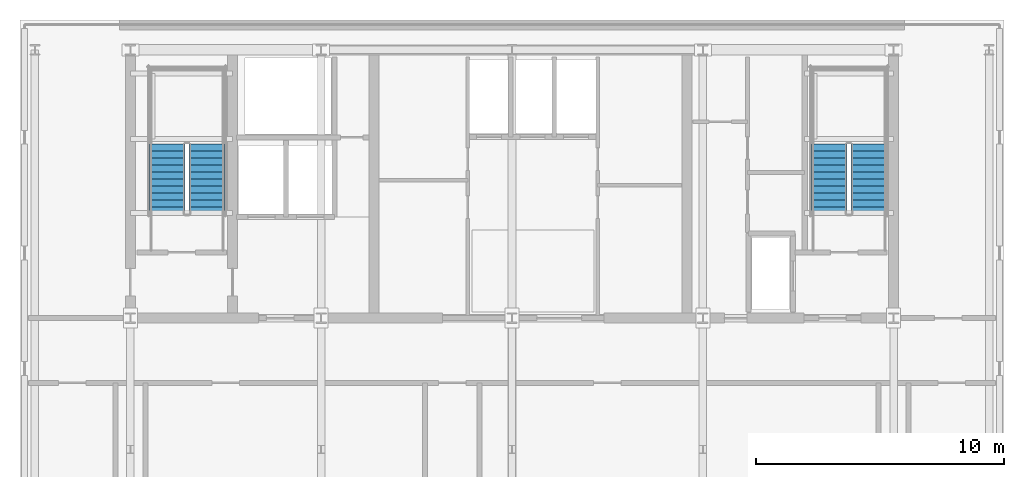
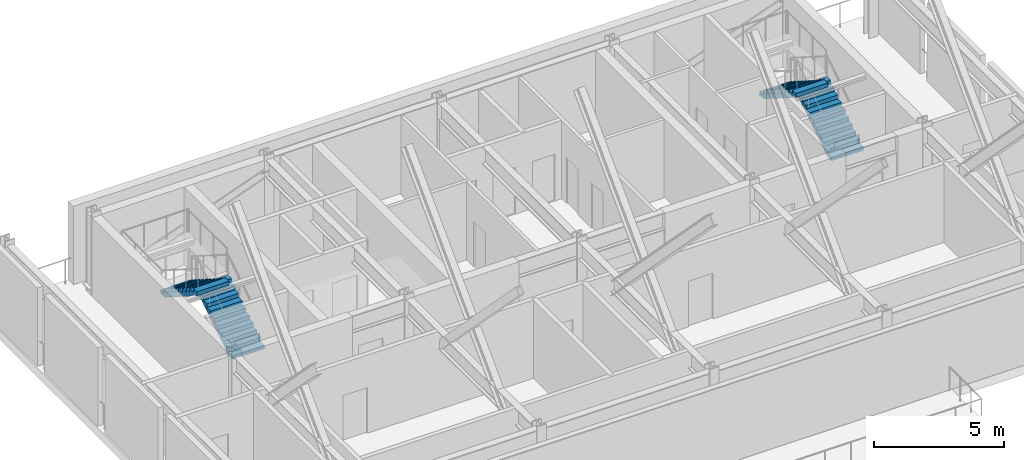
# One storey, part 4 of 8: 4 stair flights, 2 elements without a shape of their own.
"""IFC4 building model written with IfcOpenShell, lengths in metres."""

from ifc_helpers import new_model, si_unit, direction, frame, origin, place, context, subcontext, project, spatial, polyline, outline, extrude, material, type_object, element, aggregate, save


model = new_model("IFC4")

# Units and contexts
model_context = context("Model", 3, precision=1e-05, world=origin(), true_north=direction((0.0, 1.0)))
body_context = subcontext(model_context, "Body", "Model", "MODEL_VIEW")
ifc_project = project(units=[si_unit("LENGTHUNIT", "METRE"), si_unit("AREAUNIT", "SQUARE_METRE"), si_unit("VOLUMEUNIT", "CUBIC_METRE"), si_unit("PLANEANGLEUNIT", "RADIAN"), si_unit("MASSUNIT", "GRAM", prefix="KILO")], contexts=[model_context])

# Site, building, storey
site_placement = place(None, origin())
site = spatial("IfcSite", under=ifc_project, at=site_placement, CompositionType="ELEMENT")
building_placement = place(site_placement, origin())
building = spatial("IfcBuilding", under=site, at=building_placement, Name="Yelkora Congress Tower", CompositionType="ELEMENT")
storey_placement = place(building_placement, frame((0.0, 0.0, 247.39990234375)))
storey = spatial("IfcBuildingStorey", under=building, at=storey_placement, Name="L69", CompositionType="ELEMENT", Elevation=247.39990234375)

# Stair, stair flights
ifc_material = material(Name="Concrete C40/50", Category="concrete")
stair_type = type_object("IfcStairType", Name="STAIR-HT-1420-R22-177", PredefinedType="HALF_TURN_STAIR", material=ifc_material)
stair_1_placement = place(storey_placement, origin())
stair_1 = element("IfcStair", 1, at=stair_1_placement, inside=storey, type_object=stair_type, Name="West Core Protected Exit Stair ST-01 (L69)", PredefinedType="HALF_TURN_STAIR")
stair_flight_type = type_object("IfcStairFlightType", Name="FLIGHT-1420-N11-R177-G280", PredefinedType="STRAIGHT", material=ifc_material)
stair_flight_1_placement = place(storey_placement, frame((26.110107421875, 39.60009765625, 0.0), z_axis=(0.0, 0.0, 1.0), x_axis=(0.0, 1.0, 0.0)))
stair_flight_1 = element("IfcStairFlight", 2, at=stair_flight_1_placement, type_object=stair_flight_type, Name="ST-01 L69 Flight 1", NumberOfRisers=11, NumberOfTreads=10, PredefinedType="STRAIGHT", RiserHeight=0.177272727, TreadLength=0.28, context=body_context, shape_type="SweptSolid", body=[
    extrude(outline(polyline([(0.0, 0.0), (0.0, 0.17724609375), (0.280029296875, 0.17724609375), (0.280029296875, 0.3544921875), (0.56005859375, 0.3544921875), (0.56005859375, 0.53173828125), (0.840087890625, 0.53173828125), (0.840087890625, 0.708984375), (1.1201171875, 0.708984375), (1.1201171875, 0.886474609375), (1.39990234375, 0.886474609375), (1.39990234375, 1.063720703125), (1.679931640625, 1.063720703125), (1.679931640625, 1.240966796875), (1.9599609375, 1.240966796875), (1.9599609375, 1.418212890625), (2.239990234375, 1.418212890625), (2.239990234375, 1.595458984375), (2.52001953125, 1.595458984375), (2.52001953125, 1.772705078125), (2.800048828125, 1.772705078125), (2.800048828125, 1.949951171875), (2.800048828125, 1.58349609375), (0.298828125, 0.0), (0.0, 0.0)])), frame((0.0, 0.7099609375, 0.0), z_axis=(0.0, -1.0, 0.0), x_axis=(1.0, 0.0, 0.0)), (0.0, 0.0, 1.0), 1.419921875),
])
stair_flight_2_placement = place(storey_placement, frame((24.530029296875, 42.39990234375, 1.9501953125), z_axis=(0.0, 0.0, 1.0), x_axis=(0.0, -1.0, 0.0)))
stair_flight_2 = element("IfcStairFlight", 3, at=stair_flight_2_placement, type_object=stair_flight_type, Name="ST-01 L69 Flight 2", NumberOfRisers=11, NumberOfTreads=10, PredefinedType="STRAIGHT", RiserHeight=0.177272727, TreadLength=0.28, context=body_context, shape_type="SweptSolid", body=[
    extrude(outline(polyline([(0.0, 0.0), (0.0, 0.17724609375), (0.280029296875, 0.17724609375), (0.280029296875, 0.3544921875), (0.56005859375, 0.3544921875), (0.56005859375, 0.53173828125), (0.840087890625, 0.53173828125), (0.840087890625, 0.708984375), (1.1201171875, 0.708984375), (1.1201171875, 0.886474609375), (1.39990234375, 0.886474609375), (1.39990234375, 1.063720703125), (1.679931640625, 1.063720703125), (1.679931640625, 1.240966796875), (1.9599609375, 1.240966796875), (1.9599609375, 1.418212890625), (2.239990234375, 1.418212890625), (2.239990234375, 1.595458984375), (2.52001953125, 1.595458984375), (2.52001953125, 1.772705078125), (2.800048828125, 1.772705078125), (2.800048828125, 1.949951171875), (2.800048828125, 1.58349609375), (0.298828125, 0.0), (0.0, 0.0)])), frame((0.0, 0.7099609375, 0.0), z_axis=(0.0, -1.0, 0.0), x_axis=(1.0, 0.0, 0.0)), (0.0, 0.0, 1.0), 1.419921875),
])
aggregate(stair_1, [stair_flight_1, stair_flight_2])

stair_2_placement = place(storey_placement, origin())
stair_2 = element("IfcStair", 4, at=stair_2_placement, inside=storey, type_object=stair_type, Name="East Core Protected Exit Stair ST-02 (L69)", PredefinedType="HALF_TURN_STAIR")
stair_flight_3_placement = place(storey_placement, frame((52.75, 39.60009765625, 0.0), z_axis=(0.0, 0.0, 1.0), x_axis=(0.0, 1.0, 0.0)))
stair_flight_3 = element("IfcStairFlight", 5, at=stair_flight_3_placement, type_object=stair_flight_type, Name="ST-02 L69 Flight 1", NumberOfRisers=11, NumberOfTreads=10, PredefinedType="STRAIGHT", RiserHeight=0.177272727, TreadLength=0.28, context=body_context, shape_type="SweptSolid", body=[
    extrude(outline(polyline([(0.0, 0.0), (0.0, 0.17724609375), (0.280029296875, 0.17724609375), (0.280029296875, 0.3544921875), (0.56005859375, 0.3544921875), (0.56005859375, 0.53173828125), (0.840087890625, 0.53173828125), (0.840087890625, 0.708984375), (1.1201171875, 0.708984375), (1.1201171875, 0.886474609375), (1.39990234375, 0.886474609375), (1.39990234375, 1.063720703125), (1.679931640625, 1.063720703125), (1.679931640625, 1.240966796875), (1.9599609375, 1.240966796875), (1.9599609375, 1.418212890625), (2.239990234375, 1.418212890625), (2.239990234375, 1.595458984375), (2.52001953125, 1.595458984375), (2.52001953125, 1.772705078125), (2.800048828125, 1.772705078125), (2.800048828125, 1.949951171875), (2.800048828125, 1.58349609375), (0.298828125, 0.0), (0.0, 0.0)])), frame((0.0, 0.7099609375, 0.0), z_axis=(0.0, -1.0, 0.0), x_axis=(1.0, 0.0, 0.0)), (0.0, 0.0, 1.0), 1.419921875),
])
stair_flight_4_placement = place(storey_placement, frame((51.169921875, 42.39990234375, 1.9501953125), z_axis=(0.0, 0.0, 1.0), x_axis=(0.0, -1.0, 0.0)))
stair_flight_4 = element("IfcStairFlight", 6, at=stair_flight_4_placement, type_object=stair_flight_type, Name="ST-02 L69 Flight 2", NumberOfRisers=11, NumberOfTreads=10, PredefinedType="STRAIGHT", RiserHeight=0.177272727, TreadLength=0.28, context=body_context, shape_type="SweptSolid", body=[
    extrude(outline(polyline([(0.0, 0.0), (0.0, 0.17724609375), (0.280029296875, 0.17724609375), (0.280029296875, 0.3544921875), (0.56005859375, 0.3544921875), (0.56005859375, 0.53173828125), (0.840087890625, 0.53173828125), (0.840087890625, 0.708984375), (1.1201171875, 0.708984375), (1.1201171875, 0.886474609375), (1.39990234375, 0.886474609375), (1.39990234375, 1.063720703125), (1.679931640625, 1.063720703125), (1.679931640625, 1.240966796875), (1.9599609375, 1.240966796875), (1.9599609375, 1.418212890625), (2.239990234375, 1.418212890625), (2.239990234375, 1.595458984375), (2.52001953125, 1.595458984375), (2.52001953125, 1.772705078125), (2.800048828125, 1.772705078125), (2.800048828125, 1.949951171875), (2.800048828125, 1.58349609375), (0.298828125, 0.0), (0.0, 0.0)])), frame((0.0, 0.7099609375, 0.0), z_axis=(0.0, -1.0, 0.0), x_axis=(1.0, 0.0, 0.0)), (0.0, 0.0, 1.0), 1.419921875),
])
aggregate(stair_2, [stair_flight_3, stair_flight_4])

save(model, "model.ifc")
